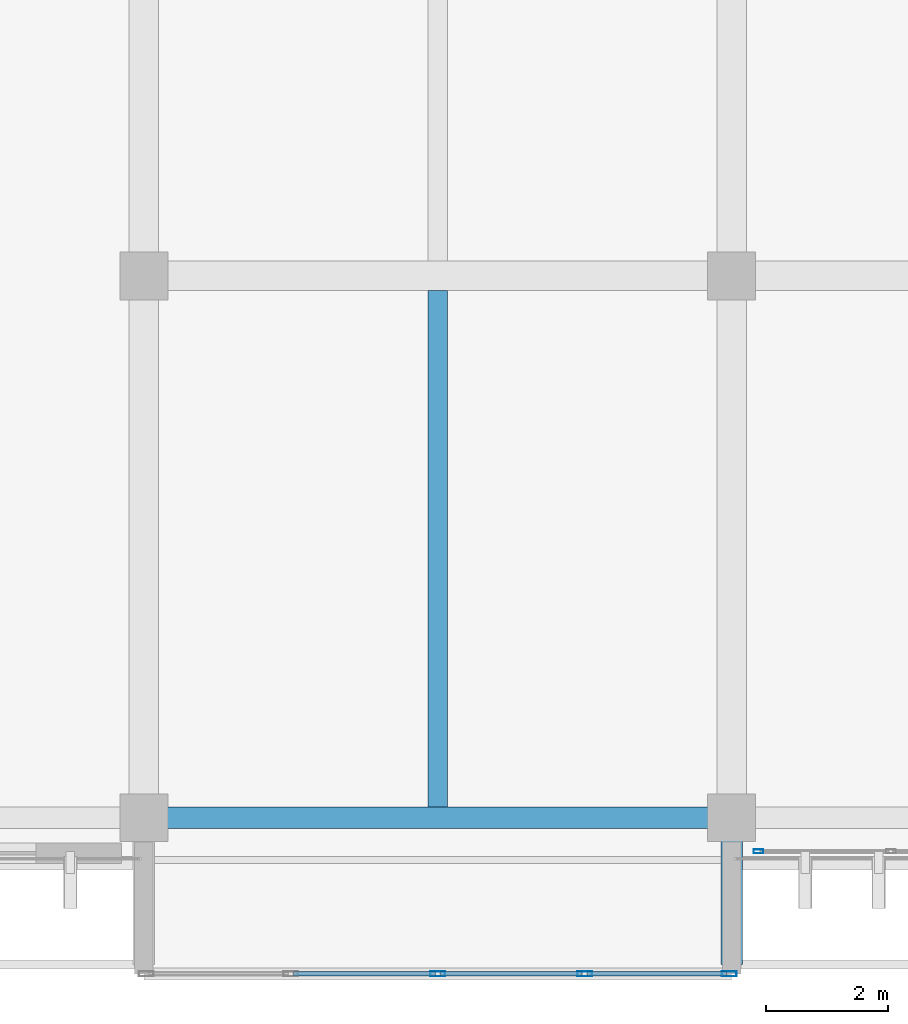
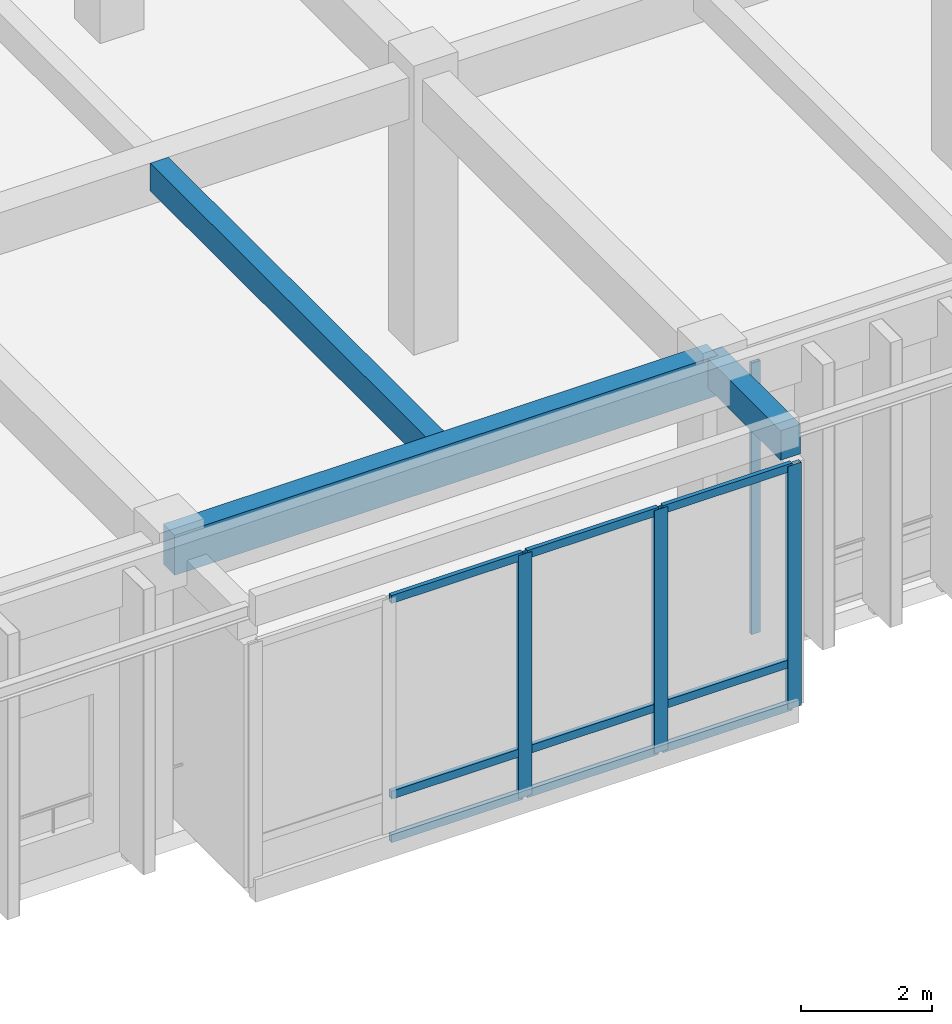
# One storey, part 55 of 134: 13 members, 3 beams, 2 elements without a shape of their own.
"""IFC4 building model written with IfcOpenShell, lengths in metres."""

import ifcopenshell
import ifcopenshell.guid

model = None  # the IFC model being written
_history = None  # IfcOwnerHistory: only IFC2X3 demands one
_inside = {}  # id of a spatial element -> (the spatial element, [elements in it])
_under = {}  # id of a project, library or spatial element -> (it, [spatial elements below it])
_declared = {}  # id of a project -> (the project, [libraries it declares])
_typed = {}  # id of a type object -> (the type object, [elements of that type])
_made_of = {}  # id of a material, layer set ... -> (it, [elements and type objects made of it])


def new_model(schema):
    """Start an empty IFC model of exactly this schema.

    Asked for "IFC4X3", IfcOpenShell would pick the latest addendum, in which some entities
    have other attributes; the version numbers below select the first issue.
    IFC2X3 requires an IfcOwnerHistory on every rooted entity: one is made here for all.
    """
    global model, _history
    if schema == "IFC4X3":
        model = ifcopenshell.file(schema_version=(4, 3, 0, 0))
    else:
        model = ifcopenshell.file(schema=schema)
    _inside.clear()
    _under.clear()
    _declared.clear()
    _typed.clear()
    _made_of.clear()
    _history = None
    if model.schema == "IFC2X3":
        org = make("IfcOrganization", Name="unknown")
        user = make(
            "IfcPersonAndOrganization",
            ThePerson=make("IfcPerson", FamilyName="unknown"),
            TheOrganization=org,
        )
        app = make(
            "IfcApplication",
            ApplicationDeveloper=org,
            Version="unknown",
            ApplicationFullName="unknown",
            ApplicationIdentifier="unknown",
        )
        _history = make(
            "IfcOwnerHistory",
            OwningUser=user,
            OwningApplication=app,
            ChangeAction="ADDED",
            CreationDate=0,
        )
    return model


def make(cls, **values):
    """One entity of the class cls with the attributes given. An attribute that is None is left unset."""
    return model.create_entity(
        cls, **{name: value for name, value in values.items() if value is not None}
    )


def rooted(cls, **values):
    """An entity with a GlobalId (a new one), such as an element, a storey or a relation."""
    return make(cls, GlobalId=ifcopenshell.guid.new(), OwnerHistory=_history, **values)


def si_unit(unit_type, name, prefix=None):
    """IfcSIUnit, for example si_unit("LENGTHUNIT", "METRE", prefix="MILLI")."""
    return make("IfcSIUnit", UnitType=unit_type, Prefix=prefix, Name=name)


def assignment(units):
    """IfcUnitAssignment: the units of a project."""
    return None if units is None else make("IfcUnitAssignment", Units=units)


def point(xyz):
    """IfcCartesianPoint."""
    return None if xyz is None else make("IfcCartesianPoint", Coordinates=xyz)


def direction(xyz):
    """IfcDirection."""
    return None if xyz is None else make("IfcDirection", DirectionRatios=xyz)


def frame(location, z_axis=None, x_axis=None):
    """IfcAxis2Placement3D, a coordinate frame: its origin and axes. An axis left out is left unset."""
    return make(
        "IfcAxis2Placement3D",
        Location=point(location),
        Axis=direction(z_axis),
        RefDirection=direction(x_axis),
    )


def frame_2d(location, x_axis=None):
    """IfcAxis2Placement2D, a coordinate frame in the plane: its origin and x axis."""
    return make(
        "IfcAxis2Placement2D", Location=point(location), RefDirection=direction(x_axis)
    )


def origin():
    """The frame at (0, 0, 0) with its axes left unset."""
    return frame((0.0, 0.0, 0.0))


def origin_2d():
    """The frame at (0, 0) in the plane with its x axis left unset."""
    return frame_2d((0.0, 0.0))


def place(relative_to, where):
    """IfcLocalPlacement: puts the frame where relative to a parent placement (None: the world)."""
    return make(
        "IfcLocalPlacement", PlacementRelTo=relative_to, RelativePlacement=where
    )


def context(
    kind, dimensions, precision=None, world=None, true_north=None, identifier=None
):
    """IfcGeometricRepresentationContext, for example the 3D "Model" context."""
    return make(
        "IfcGeometricRepresentationContext",
        ContextIdentifier=identifier,
        ContextType=kind,
        CoordinateSpaceDimension=dimensions,
        Precision=precision,
        WorldCoordinateSystem=world,
        TrueNorth=true_north,
    )


def subcontext(parent, identifier, kind, view, scale=None):
    """IfcGeometricRepresentationSubContext, for example "Body" below "Model"."""
    return make(
        "IfcGeometricRepresentationSubContext",
        ContextIdentifier=identifier,
        ContextType=kind,
        ParentContext=parent,
        TargetScale=scale,
        TargetView=view,
    )


def project(units=None, contexts=None):
    """IfcProject with its units and contexts."""
    return rooted(
        "IfcProject",
        Name="project",
        RepresentationContexts=contexts,
        UnitsInContext=assignment(units),
    )


def spatial(cls, under=None, at=None, **own):
    """A site, building, storey or space (cls), placed at a placement, below another one or the project."""
    s = rooted(cls, ObjectPlacement=at, **own)
    if under is not None:
        _under.setdefault(under.id(), (under, []))[1].append(s)
    return s


def profile(cls, at=None, kind="AREA", **sizes):
    """A parametric profile (cls). Its sizes go by their IFC names, for example OverallWidth=200.0."""
    return make(cls, ProfileType=kind, Position=at, **sizes)


def rectangle(**sizes):
    """IfcRectangleProfileDef."""
    return profile("IfcRectangleProfileDef", **sizes)


def hollow_rectangle(**sizes):
    """IfcRectangleHollowProfileDef."""
    return profile("IfcRectangleHollowProfileDef", **sizes)


def extrude(swept, where, along, depth):
    """IfcExtrudedAreaSolid: the profile swept, set in the frame where, extruded along a direction by depth."""
    return make(
        "IfcExtrudedAreaSolid",
        SweptArea=swept,
        Position=where,
        ExtrudedDirection=direction(along),
        Depth=depth,
    )


def shape(context_of_items, identifier, shape_type, items):
    """IfcShapeRepresentation: the items that make up one representation, for example the "Body"."""
    return make(
        "IfcShapeRepresentation",
        ContextOfItems=context_of_items,
        RepresentationIdentifier=identifier,
        RepresentationType=shape_type,
        Items=items,
    )


def material(Name=None, Category=None):
    """IfcMaterial."""
    return make("IfcMaterial", Name=Name, Category=Category)


def layer(
    of_material, thickness, ventilated=None, Name=None, Category=None, Priority=None
):
    """IfcMaterialLayer: one layer of a wall or slab, of a material (None: an air gap)."""
    return make(
        "IfcMaterialLayer",
        Material=of_material,
        LayerThickness=thickness,
        IsVentilated=ventilated,
        Name=Name,
        Category=Category,
        Priority=Priority,
    )


def layer_set(layers, Name=None):
    """IfcMaterialLayerSet."""
    return make("IfcMaterialLayerSet", MaterialLayers=layers, LayerSetName=Name)


def material_profile(
    of_material, cross_section, Name=None, Category=None, Priority=None
):
    """IfcMaterialProfile: a cross section and its material."""
    return make(
        "IfcMaterialProfile",
        Name=Name,
        Material=of_material,
        Profile=cross_section,
        Priority=Priority,
        Category=Category,
    )


def profile_set(profiles, Name=None, composite=None):
    """IfcMaterialProfileSet."""
    return make(
        "IfcMaterialProfileSet",
        Name=Name,
        MaterialProfiles=profiles,
        CompositeProfile=composite,
    )


def made_of(thing, what):
    """Note that an element or type object is made of a material, layer set ...; save() writes the relation."""
    if what is not None:
        _made_of.setdefault(what.id(), (what, []))[1].append(thing)
    return thing


def type_object(cls, material=None, **own):
    """A type object (cls), such as IfcWallType, which elements share."""
    return made_of(rooted(cls, **own), material)


def element(
    cls,
    number,
    at=None,
    inside=None,
    cuts=None,
    type_object=None,
    material=None,
    context=None,
    identifier="Body",
    shape_type=None,
    held_by="IfcProductDefinitionShape",
    body=None,
    shapes=None,
    **own,
):
    """One element of the class cls, such as IfcWall. Its Tag is "e" and its number.

    at: its placement. inside: the storey or other place that contains it. cuts: it is an
    opening in that element (IfcRelVoidsElement). A single representation is given by context,
    identifier, shape_type and body (its items); several are given by shapes. held_by: the class
    of the entity that holds the representations. save() writes the other relations.
    """
    e = rooted(cls, Tag="e%d" % number, ObjectPlacement=at, **own)
    if body is not None:
        shapes = [shape(context, identifier, shape_type, body)]
    if shapes is not None:
        e.Representation = make(held_by, Representations=shapes)
    if inside is not None:
        _inside.setdefault(inside.id(), (inside, []))[1].append(e)
    if cuts is not None:
        rooted(
            "IfcRelVoidsElement", RelatingBuildingElement=cuts, RelatedOpeningElement=e
        )
    if type_object is not None:
        _typed.setdefault(type_object.id(), (type_object, []))[1].append(e)
    return made_of(e, material)


def aggregate(whole, parts):
    """IfcRelAggregates: a whole, such as a stair, and the parts it consists of."""
    return rooted("IfcRelAggregates", RelatingObject=whole, RelatedObjects=parts)


def save(model, path):
    """Write the relations noted so far, then the file.

    IfcRelAggregates (storeys below a building ...), IfcRelContainedInSpatialStructure (elements
    in a storey), IfcRelDefinesByType, IfcRelAssociatesMaterial and IfcRelDeclares: one each for
    every whole, place, type object, material and project.
    """
    for whole, parts in _under.values():
        aggregate(whole, parts)
    for where, things in _inside.values():
        rooted(
            "IfcRelContainedInSpatialStructure",
            RelatedElements=things,
            RelatingStructure=where,
        )
    for kind, things in _typed.values():
        rooted("IfcRelDefinesByType", RelatedObjects=things, RelatingType=kind)
    for what, things in _made_of.values():
        rooted("IfcRelAssociatesMaterial", RelatedObjects=things, RelatingMaterial=what)
    for by, libraries in _declared.values():
        rooted("IfcRelDeclares", RelatingContext=by, RelatedDefinitions=libraries)
    model.write(path)


model = new_model("IFC4")

# Units and contexts
model_context = context("Model", 3, precision=1e-05, world=origin(), true_north=direction((0.0, 1.0)))
body_context = subcontext(model_context, "Body", "Model", "MODEL_VIEW")
ifc_project = project(units=[si_unit("LENGTHUNIT", "METRE"), si_unit("AREAUNIT", "SQUARE_METRE"), si_unit("VOLUMEUNIT", "CUBIC_METRE"), si_unit("PLANEANGLEUNIT", "RADIAN"), si_unit("MASSUNIT", "GRAM", prefix="KILO")], contexts=[model_context])

# Site, building, storey
site_placement = place(None, origin())
site = spatial("IfcSite", under=ifc_project, at=site_placement, CompositionType="ELEMENT")
building_placement = place(site_placement, origin())
building = spatial("IfcBuilding", under=site, at=building_placement, Name="Nakhvara Creek Congress Hotel", CompositionType="ELEMENT")
storey_placement = place(building_placement, frame((0.0, 0.0, 6.0)))
storey = spatial("IfcBuildingStorey", under=building, at=storey_placement, Name="L01", CompositionType="ELEMENT", Elevation=6.0)

# Beams
ifc_material_1 = material(Name="Concrete C40/50", Category="concrete")
ifc_material_profile_1 = material_profile(ifc_material_1, rectangle(XDim=0.35009765625, YDim=0.550048828125, at=origin_2d()), Name="RC-BM 350x550", Category="LoadBearing")
ifc_profile_set_1 = profile_set([ifc_material_profile_1], Name="Concrete C40/50")
beam_type_1 = type_object("IfcBeamType", Name="BM-CANT-BOX", PredefinedType="BEAM", material=ifc_profile_set_1)
beam_1_placement = place(storey_placement, frame((134.39990234375, 0.75, 4.824951171875), z_axis=(0.0, -1.0, 0.0), x_axis=(1.0, 0.0, 0.0)))
element("IfcBeam", 1, at=beam_1_placement, inside=storey, type_object=beam_type_1, Name="Foyer Box Outrigger Beam PBOX-L02-S2-134", PredefinedType="BEAM", context=body_context, shape_type="SweptSolid", body=[
    extrude(rectangle(XDim=0.35009765625, YDim=0.550048828125, at=origin_2d()), origin(), (0.0, 0.0, 1.0), 2.39990234375),
])
ifc_material_profile_2 = material_profile(ifc_material_1, rectangle(XDim=0.320068359375, YDim=0.52001953125, at=origin_2d()), Name="RC-BM 320x520", Category="LoadBearing")
ifc_profile_set_2 = profile_set([ifc_material_profile_2], Name="Concrete C40/50")
beam_type_2 = type_object("IfcBeamType", Name="BM-RC-320X520", PredefinedType="JOIST", material=ifc_profile_set_2)
beam_2_placement = place(storey_placement, frame((129.60009765625, 0.925048828125, 4.840087890625), z_axis=(0.0, 1.0, 0.0), x_axis=(-1.0, 0.0, 0.0)))
element("IfcBeam", 2, at=beam_2_placement, inside=storey, type_object=beam_type_2, Name="Secondary Joist BJ2-L01-1384", PredefinedType="JOIST", context=body_context, shape_type="SweptSolid", body=[
    extrude(rectangle(XDim=0.320068359375, YDim=0.52001953125, at=origin_2d()), origin(), (0.0, 0.0, 1.0), 8.43505859375),
])
ifc_material_profile_3 = material_profile(ifc_material_1, rectangle(XDim=0.35009765625, YDim=0.75, at=origin_2d()), Name="RC-SPANDREL 350x750", Category="LoadBearing")
ifc_profile_set_3 = profile_set([ifc_material_profile_3], Name="Concrete C40/50")
beam_type_3 = type_object("IfcBeamType", Name="BM-SPN-350X750", PredefinedType="SPANDREL", material=ifc_profile_set_3)
beam_3_placement = place(storey_placement, frame((124.800048828125, 0.75, 4.72509765625), z_axis=(1.0, 0.0, 0.0), x_axis=(0.0, 1.0, 0.0)))
element("IfcBeam", 3, at=beam_3_placement, inside=storey, type_object=beam_type_3, Name="Beam SP1-L01-1218", PredefinedType="SPANDREL", context=body_context, shape_type="SweptSolid", body=[
    extrude(rectangle(XDim=0.35009765625, YDim=0.75, at=origin_2d()), origin(), (0.0, 0.0, 1.0), 9.599853515625),
])

# Curtain wall, member
ifc_material_2 = material(Name="Bronze-anodised aluminium AW-6063-T6 and double-silver low-E glass", Category="aluminium")
ifc_layer_1 = layer(ifc_material_2, 0.199951171875)
ifc_layer_set_1 = layer_set([ifc_layer_1], Name="Bronze-anodised aluminium AW-6063-T6 and double-silver low-E glass")
curtain_wall_type_1 = type_object("IfcCurtainWallType", Name="CW-SPA-STICK", PredefinedType="NOTDEFINED", material=ifc_layer_set_1)
curtain_wall_1_placement = place(storey_placement, origin())
curtain_wall_1 = element("IfcCurtainWall", 4, at=curtain_wall_1_placement, inside=storey, type_object=curtain_wall_type_1, Name="Curtain Wall CW079", PredefinedType="NOTDEFINED")
ifc_material_3 = material(Name="Bronze-anodised aluminium AW-6063-T6", Category="aluminium")
ifc_material_profile_4 = material_profile(ifc_material_3, hollow_rectangle(XDim=0.06494140625, YDim=0.159912109375, WallThickness=0.00390625, at=origin_2d()), Name="ALU-MULL 65x160x4", Category="LoadBearing")
ifc_profile_set_4 = profile_set([ifc_material_profile_4], Name="Bronze-anodised aluminium AW-6063-T6")
member_type_1 = type_object("IfcMemberType", Name="CW-MULL-160", PredefinedType="MULLION", material=ifc_profile_set_4)
member_1_placement = place(storey_placement, frame((134.83740234375, 0.199951171875, 0.0), z_axis=(0.0, 0.0, 1.0), x_axis=(0.0, -1.0, 0.0)))
member_1 = element("IfcMember", 5, at=member_1_placement, type_object=member_type_1, Name="CW079 mullion 5", PredefinedType="MULLION", context=body_context, shape_type="SweptSolid", body=[
    extrude(hollow_rectangle(XDim=0.06494140625, YDim=0.159912109375, WallThickness=0.00390625, at=origin_2d()), origin(), (0.0, 0.0, 1.0), 5.070068359375),
])
aggregate(curtain_wall_1, [member_1])

# Curtain wall, members
ifc_layer_2 = layer(ifc_material_2, 0.219970703125)
ifc_layer_set_2 = layer_set([ifc_layer_2], Name="Bronze-anodised aluminium AW-6063-T6 and double-silver low-E glass")
curtain_wall_type_2 = type_object("IfcCurtainWallType", Name="CW-BOX-PROJ", PredefinedType="USERDEFINED", material=ifc_layer_set_2)
curtain_wall_2_placement = place(storey_placement, origin())
curtain_wall_2 = element("IfcCurtainWall", 6, at=curtain_wall_2_placement, inside=storey, type_object=curtain_wall_type_2, Name="Curtain Wall CW075", ObjectType="UNITISED", PredefinedType="USERDEFINED")
ifc_material_profile_5 = material_profile(ifc_material_3, hollow_rectangle(XDim=0.080078125, YDim=0.239990234375, WallThickness=0.0048828125, at=origin_2d()), Name="ALU-MULL 80x240x5", Category="LoadBearing")
ifc_profile_set_5 = profile_set([ifc_material_profile_5], Name="Bronze-anodised aluminium AW-6063-T6")
member_type_2 = type_object("IfcMemberType", Name="CW-MULL-240", PredefinedType="MULLION", material=ifc_profile_set_5)
member_2_placement = place(storey_placement, frame((134.360107421875, -1.800048828125, 0.0), z_axis=(0.0, 0.0, 1.0), x_axis=(0.0, -1.0, 0.0)))
member_2 = element("IfcMember", 7, at=member_2_placement, type_object=member_type_2, Name="CW075 mullion 1", PredefinedType="MULLION", context=body_context, shape_type="SweptSolid", body=[
    extrude(hollow_rectangle(XDim=0.080078125, YDim=0.239990234375, WallThickness=0.0048828125, at=origin_2d()), origin(), (0.0, 0.0, 1.0), 4.5419921875),
])
member_3_placement = place(storey_placement, frame((132.0, -1.800048828125, 0.0), z_axis=(0.0, 0.0, 1.0), x_axis=(0.0, -1.0, 0.0)))
member_3 = element("IfcMember", 8, at=member_3_placement, type_object=member_type_2, Name="CW075 mullion 2", PredefinedType="MULLION", context=body_context, shape_type="SweptSolid", body=[
    extrude(hollow_rectangle(XDim=0.080078125, YDim=0.239990234375, WallThickness=0.0048828125, at=origin_2d()), origin(), (0.0, 0.0, 1.0), 4.5419921875),
])
member_4_placement = place(storey_placement, frame((129.60009765625, -1.800048828125, 0.0), z_axis=(0.0, 0.0, 1.0), x_axis=(0.0, -1.0, 0.0)))
member_4 = element("IfcMember", 9, at=member_4_placement, type_object=member_type_2, Name="CW075 mullion 3", PredefinedType="MULLION", context=body_context, shape_type="SweptSolid", body=[
    extrude(hollow_rectangle(XDim=0.080078125, YDim=0.239990234375, WallThickness=0.0048828125, at=origin_2d()), origin(), (0.0, 0.0, 1.0), 4.5419921875),
])
ifc_material_profile_6 = material_profile(ifc_material_3, hollow_rectangle(XDim=0.074951171875, YDim=0.14990234375, WallThickness=0.00390625, at=origin_2d()), Name="ALU-TRAN 75x150x4", Category="LoadBearing")
ifc_profile_set_6 = profile_set([ifc_material_profile_6], Name="Bronze-anodised aluminium AW-6063-T6")
member_type_3 = type_object("IfcMemberType", Name="CW-TRAN-150", PredefinedType="USERDEFINED", material=ifc_profile_set_6)
member_5_placement = place(storey_placement, frame((134.320068359375, -1.800048828125, 0.03759765625), z_axis=(-1.0, 0.0, 0.0), x_axis=(0.0, -1.0, 0.0)))
member_5 = element("IfcMember", 10, at=member_5_placement, type_object=member_type_3, Name="CW075 transom 1.1", ObjectType="TRANSOM", PredefinedType="USERDEFINED", context=body_context, shape_type="SweptSolid", body=[
    extrude(hollow_rectangle(XDim=0.074951171875, YDim=0.14990234375, WallThickness=0.00390625, at=origin_2d()), origin(), (0.0, 0.0, 1.0), 2.280029296875),
])
member_6_placement = place(storey_placement, frame((134.320068359375, -1.800048828125, 0.85009765625), z_axis=(-1.0, 0.0, 0.0), x_axis=(0.0, -1.0, 0.0)))
member_6 = element("IfcMember", 11, at=member_6_placement, type_object=member_type_3, Name="CW075 transom 1.2", ObjectType="TRANSOM", PredefinedType="USERDEFINED", context=body_context, shape_type="SweptSolid", body=[
    extrude(hollow_rectangle(XDim=0.074951171875, YDim=0.14990234375, WallThickness=0.00390625, at=origin_2d()), origin(), (0.0, 0.0, 1.0), 2.280029296875),
])
member_7_placement = place(storey_placement, frame((134.320068359375, -1.800048828125, 4.50439453125), z_axis=(-1.0, 0.0, 0.0), x_axis=(0.0, -1.0, 0.0)))
member_7 = element("IfcMember", 12, at=member_7_placement, type_object=member_type_3, Name="CW075 transom 1.3", ObjectType="TRANSOM", PredefinedType="USERDEFINED", context=body_context, shape_type="SweptSolid", body=[
    extrude(hollow_rectangle(XDim=0.074951171875, YDim=0.14990234375, WallThickness=0.00390625, at=origin_2d()), origin(), (0.0, 0.0, 1.0), 2.280029296875),
])
member_8_placement = place(storey_placement, frame((131.9599609375, -1.800048828125, 0.03759765625), z_axis=(-1.0, 0.0, 0.0), x_axis=(0.0, -1.0, 0.0)))
member_8 = element("IfcMember", 13, at=member_8_placement, type_object=member_type_3, Name="CW075 transom 2.1", ObjectType="TRANSOM", PredefinedType="USERDEFINED", context=body_context, shape_type="SweptSolid", body=[
    extrude(hollow_rectangle(XDim=0.074951171875, YDim=0.14990234375, WallThickness=0.00390625, at=origin_2d()), origin(), (0.0, 0.0, 1.0), 2.320068359375),
])
member_9_placement = place(storey_placement, frame((131.9599609375, -1.800048828125, 0.85009765625), z_axis=(-1.0, 0.0, 0.0), x_axis=(0.0, -1.0, 0.0)))
member_9 = element("IfcMember", 14, at=member_9_placement, type_object=member_type_3, Name="CW075 transom 2.2", ObjectType="TRANSOM", PredefinedType="USERDEFINED", context=body_context, shape_type="SweptSolid", body=[
    extrude(hollow_rectangle(XDim=0.074951171875, YDim=0.14990234375, WallThickness=0.00390625, at=origin_2d()), origin(), (0.0, 0.0, 1.0), 2.320068359375),
])
member_10_placement = place(storey_placement, frame((131.9599609375, -1.800048828125, 4.50439453125), z_axis=(-1.0, 0.0, 0.0), x_axis=(0.0, -1.0, 0.0)))
member_10 = element("IfcMember", 15, at=member_10_placement, type_object=member_type_3, Name="CW075 transom 2.3", ObjectType="TRANSOM", PredefinedType="USERDEFINED", context=body_context, shape_type="SweptSolid", body=[
    extrude(hollow_rectangle(XDim=0.074951171875, YDim=0.14990234375, WallThickness=0.00390625, at=origin_2d()), origin(), (0.0, 0.0, 1.0), 2.320068359375),
])
member_11_placement = place(storey_placement, frame((129.56005859375, -1.800048828125, 0.03759765625), z_axis=(-1.0, 0.0, 0.0), x_axis=(0.0, -1.0, 0.0)))
member_11 = element("IfcMember", 16, at=member_11_placement, type_object=member_type_3, Name="CW075 transom 3.1", ObjectType="TRANSOM", PredefinedType="USERDEFINED", context=body_context, shape_type="SweptSolid", body=[
    extrude(hollow_rectangle(XDim=0.074951171875, YDim=0.14990234375, WallThickness=0.00390625, at=origin_2d()), origin(), (0.0, 0.0, 1.0), 2.320068359375),
])
member_12_placement = place(storey_placement, frame((129.56005859375, -1.800048828125, 0.85009765625), z_axis=(-1.0, 0.0, 0.0), x_axis=(0.0, -1.0, 0.0)))
member_12 = element("IfcMember", 17, at=member_12_placement, type_object=member_type_3, Name="CW075 transom 3.2", ObjectType="TRANSOM", PredefinedType="USERDEFINED", context=body_context, shape_type="SweptSolid", body=[
    extrude(hollow_rectangle(XDim=0.074951171875, YDim=0.14990234375, WallThickness=0.00390625, at=origin_2d()), origin(), (0.0, 0.0, 1.0), 2.320068359375),
])
member_13_placement = place(storey_placement, frame((129.56005859375, -1.800048828125, 4.50439453125), z_axis=(-1.0, 0.0, 0.0), x_axis=(0.0, -1.0, 0.0)))
member_13 = element("IfcMember", 18, at=member_13_placement, type_object=member_type_3, Name="CW075 transom 3.3", ObjectType="TRANSOM", PredefinedType="USERDEFINED", context=body_context, shape_type="SweptSolid", body=[
    extrude(hollow_rectangle(XDim=0.074951171875, YDim=0.14990234375, WallThickness=0.00390625, at=origin_2d()), origin(), (0.0, 0.0, 1.0), 2.320068359375),
])
aggregate(curtain_wall_2, [member_2, member_3, member_4, member_5, member_6, member_7, member_8, member_9, member_10, member_11, member_12, member_13])

save(model, "model.ifc")
